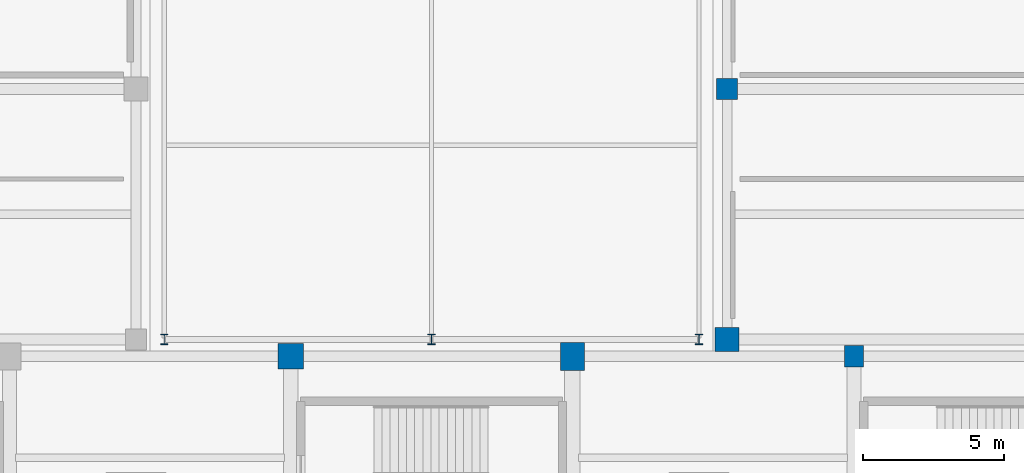
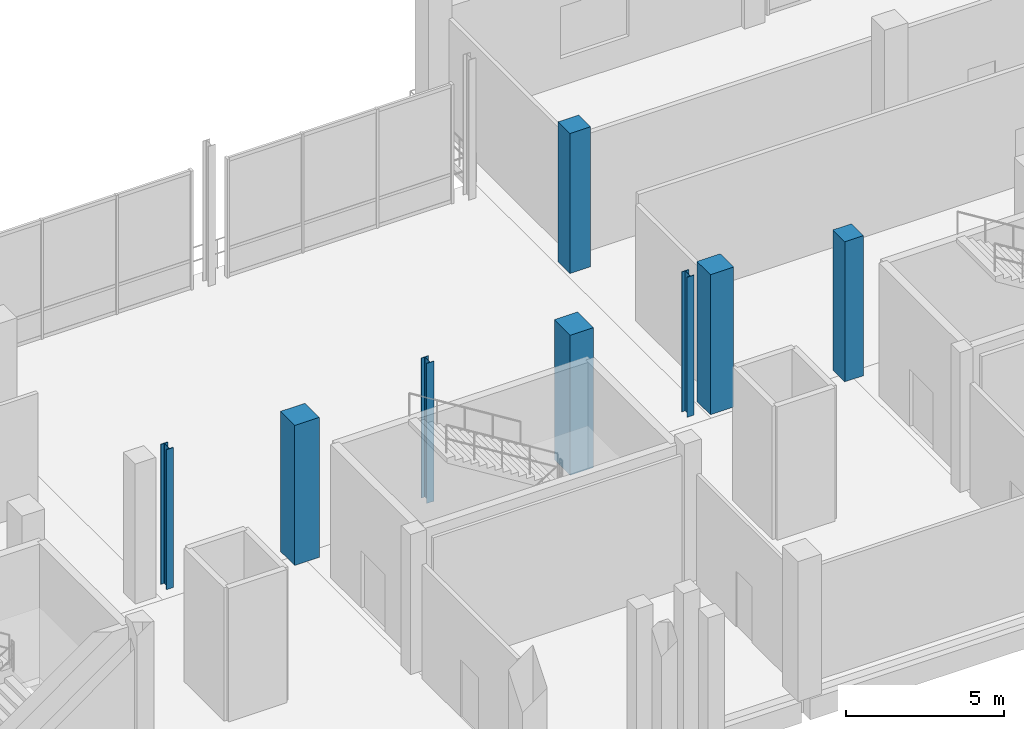
# One storey, part 7 of 114: 8 columns.
"""IFC4 building model written with IfcOpenShell, lengths in metres."""

from ifc_helpers import new_model, si_unit, direction, frame, origin, origin_2d, place, context, subcontext, project, spatial, rectangle, i_section, extrude, material, material_profile, profile_set, type_object, element, save


model = new_model("IFC4")

# Units and contexts
model_context = context("Model", 3, precision=1e-05, world=origin(), true_north=direction((0.0, 1.0)))
body_context = subcontext(model_context, "Body", "Model", "MODEL_VIEW")
ifc_project = project(units=[si_unit("LENGTHUNIT", "METRE"), si_unit("AREAUNIT", "SQUARE_METRE"), si_unit("VOLUMEUNIT", "CUBIC_METRE"), si_unit("PLANEANGLEUNIT", "RADIAN"), si_unit("MASSUNIT", "GRAM", prefix="KILO")], contexts=[model_context])

# Site, building, storey
site_placement = place(None, origin())
site = spatial("IfcSite", under=ifc_project, at=site_placement, CompositionType="ELEMENT")
building_placement = place(site_placement, origin())
building = spatial("IfcBuilding", under=site, at=building_placement, Name="Candeia Ridge Stadium", CompositionType="ELEMENT")
storey_placement = place(building_placement, frame((0.0, 0.0, 5.39990234375)))
storey = spatial("IfcBuildingStorey", under=building, at=storey_placement, Name="L01", CompositionType="ELEMENT", Elevation=5.39990234375)

# Columns
ifc_material_1 = material(Name="Concrete C45/55", Category="concrete")
ifc_material_profile_1 = material_profile(ifc_material_1, rectangle(XDim=0.89990234375, YDim=0.89990234375, at=origin_2d()), Name="RC900x900", Category="concrete")
ifc_profile_set_1 = profile_set([ifc_material_profile_1], Name="Concrete C45/55")
column_type_1 = type_object("IfcColumnType", Name="Bowl Spine Column RC900x900", PredefinedType="COLUMN", material=ifc_profile_set_1)
column_1_placement = place(storey_placement, frame((101.0, 147.0, 0.0), z_axis=(0.0, 0.0, 1.0), x_axis=(1.0, 0.0, 0.0)))
element("IfcColumn", 1, at=column_1_placement, inside=storey, type_object=column_type_1, Name="Structural column BC-OU-04 L01", PredefinedType="COLUMN", context=body_context, shape_type="SweptSolid", body=[
    extrude(rectangle(XDim=0.89990234375, YDim=0.89990234375, at=origin_2d()), origin(), (0.0, 0.0, 1.0), 5.400146484375),
])
ifc_material_2 = material(Name="Steel ASTM A572 Grade 50", Category="steel")
ifc_material_profile_2 = material_profile(ifc_material_2, i_section(OverallWidth=0.257080078125, OverallDepth=0.363037109375, WebThickness=0.012939453125, FlangeThickness=0.021728515625, FilletRadius=0.014892578125, at=origin_2d()), Name="W360x122", Category="steel")
ifc_profile_set_2 = profile_set([ifc_material_profile_2], Name="Steel ASTM A572 Grade 50")
column_type_2 = type_object("IfcColumnType", Name="Gate Steel Column W360x122", PredefinedType="COLUMN", material=ifc_profile_set_2)
for number, where, z_axis, x_axis, name in (
    (2, (96.5, 147.60009765625, 0.0), (0.0, 0.0, 1.0), (1.0, 0.0, 0.0), "Structural column NG-00-00 L01"),
    (3, (106.0, 147.60009765625, 0.0), (0.0, 0.0, 1.0), (1.0, 0.0, 0.0), "Structural column NG-01-00 L01"),
    (4, (115.5, 147.60009765625, 0.0), (0.0, 0.0, 1.0), (1.0, 0.0, 0.0), "Structural column NG-02-00 L01"),
):
    element("IfcColumn", number, at=place(storey_placement, frame(where, z_axis=z_axis, x_axis=x_axis)), inside=storey, type_object=column_type_2, Name=name, PredefinedType="COLUMN", context=body_context, shape_type="SweptSolid", body=[
        extrude(i_section(OverallWidth=0.257080078125, OverallDepth=0.363037109375, WebThickness=0.012939453125, FlangeThickness=0.021728515625, FilletRadius=0.014892578125, at=origin_2d()), origin(), (0.0, 0.0, 1.0), 5.400146484375),
    ])
ifc_material_3 = material(Name="Concrete C40/50", Category="concrete")
ifc_material_profile_3 = material_profile(ifc_material_3, rectangle(XDim=0.679931640625, YDim=0.760009765625, at=origin_2d()), Name="RC680x760", Category="concrete")
ifc_profile_set_3 = profile_set([ifc_material_profile_3], Name="Concrete C40/50")
column_type_3 = type_object("IfcColumnType", Name="Graduated Frame Column RC680x760", PredefinedType="COLUMN", material=ifc_profile_set_3)
column_2_placement = place(storey_placement, frame((121.0, 147.0, 0.0), z_axis=(0.0, 0.0, 1.0), x_axis=(1.0, 0.0, 0.0)))
element("IfcColumn", 5, at=column_2_placement, inside=storey, type_object=column_type_3, Name="Structural column BC-OU-02 L01", PredefinedType="COLUMN", context=body_context, shape_type="SweptSolid", body=[
    extrude(rectangle(XDim=0.679931640625, YDim=0.760009765625, at=origin_2d()), origin(), (0.0, 0.0, 1.0), 5.400146484375),
])
ifc_material_profile_4 = material_profile(ifc_material_3, rectangle(XDim=0.75, YDim=0.75, at=origin_2d()), Name="RC750x750", Category="concrete")
ifc_profile_set_4 = profile_set([ifc_material_profile_4], Name="Concrete C40/50")
column_type_4 = type_object("IfcColumnType", Name="Reinforced Concrete Column RC750x750", PredefinedType="COLUMN", material=ifc_profile_set_4)
column_3_placement = place(storey_placement, frame((116.5, 156.5, 0.0), z_axis=(0.0, 0.0, 1.0), x_axis=(1.0, 0.0, 0.0)))
element("IfcColumn", 6, at=column_3_placement, inside=storey, type_object=column_type_4, Name="Structural column NWE-00-01 L01", PredefinedType="COLUMN", context=body_context, shape_type="SweptSolid", body=[
    extrude(rectangle(XDim=0.75, YDim=0.75, at=origin_2d()), origin(), (0.0, 0.0, 1.0), 5.400146484375),
])
ifc_material_profile_5 = material_profile(ifc_material_1, rectangle(XDim=0.85009765625, YDim=1.0, at=origin_2d()), Name="RC850x1000", Category="concrete")
ifc_profile_set_5 = profile_set([ifc_material_profile_5], Name="Concrete C45/55")
column_type_5 = type_object("IfcColumnType", Name="Reinforced Concrete Column RC850x1000", PredefinedType="COLUMN", material=ifc_profile_set_5)
column_4_placement = place(storey_placement, frame((111.0, 147.0, 0.0), z_axis=(0.0, 0.0, 1.0), x_axis=(1.0, 0.0, 0.0)))
element("IfcColumn", 7, at=column_4_placement, inside=storey, type_object=column_type_5, Name="Structural column BC-OU-03 L01", PredefinedType="COLUMN", context=body_context, shape_type="SweptSolid", body=[
    extrude(rectangle(XDim=0.85009765625, YDim=1.0, at=origin_2d()), origin(), (0.0, 0.0, 1.0), 5.400146484375),
])
ifc_material_profile_6 = material_profile(ifc_material_1, rectangle(XDim=0.85009765625, YDim=0.85009765625, at=origin_2d()), Name="RC850x850", Category="concrete")
ifc_profile_set_6 = profile_set([ifc_material_profile_6], Name="Concrete C45/55")
column_type_6 = type_object("IfcColumnType", Name="Reinforced Concrete Column RC850x850", PredefinedType="COLUMN", material=ifc_profile_set_6)
column_5_placement = place(storey_placement, frame((116.5, 147.60009765625, 0.0), z_axis=(0.0, 0.0, 1.0), x_axis=(1.0, 0.0, 0.0)))
element("IfcColumn", 8, at=column_5_placement, inside=storey, type_object=column_type_6, Name="Structural column NWE-00-00 L01", PredefinedType="COLUMN", context=body_context, shape_type="SweptSolid", body=[
    extrude(rectangle(XDim=0.85009765625, YDim=0.85009765625, at=origin_2d()), origin(), (0.0, 0.0, 1.0), 5.400146484375),
])

save(model, "model.ifc")
